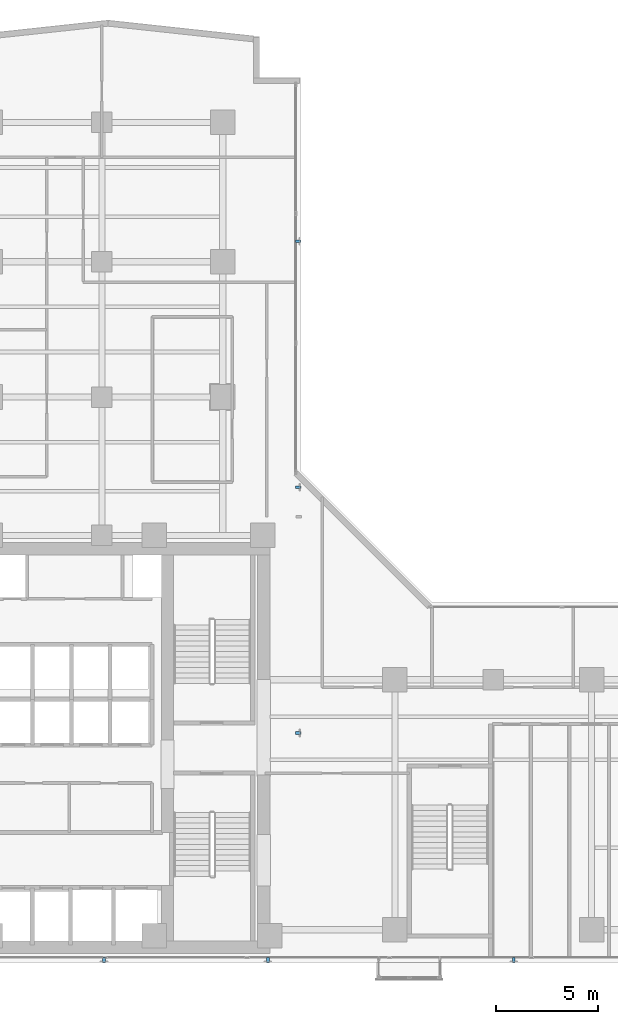
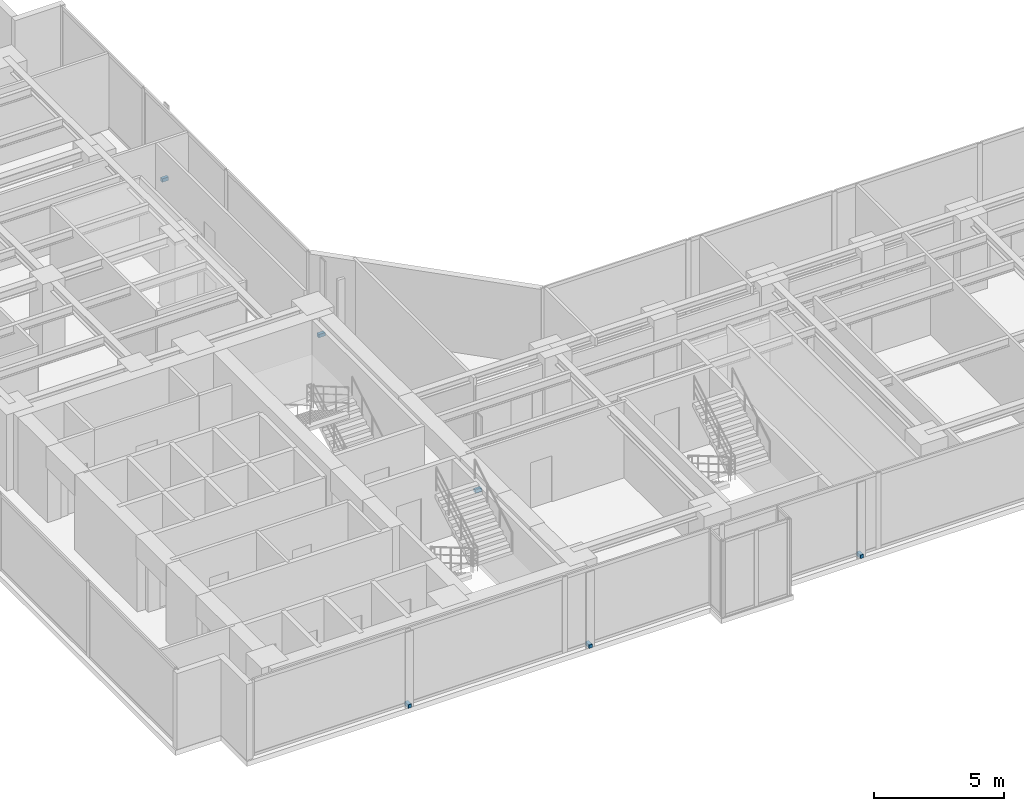
# One storey, part 22 of 24: 6 discrete accessories.
"""IFC4 building model written with IfcOpenShell, lengths in metres."""

from ifc_helpers import new_model, si_unit, direction, frame, origin, origin_with_axes, origin_2d, place, context, subcontext, project, spatial, rectangle, extrude, source, transform, mapped, material, type_object, element, save


model = new_model("IFC4")

# Units and contexts
model_context = context("Model", 3, precision=1e-05, world=origin(), true_north=direction((0.0, 1.0)))
body_context = subcontext(model_context, "Body", "Model", "MODEL_VIEW")
ifc_project = project(units=[si_unit("LENGTHUNIT", "METRE"), si_unit("AREAUNIT", "SQUARE_METRE"), si_unit("VOLUMEUNIT", "CUBIC_METRE"), si_unit("PLANEANGLEUNIT", "RADIAN"), si_unit("MASSUNIT", "GRAM", prefix="KILO")], contexts=[model_context])

# Site, building, storey
site_placement = place(None, origin())
site = spatial("IfcSite", under=ifc_project, at=site_placement, CompositionType="ELEMENT")
building_placement = place(site_placement, origin())
building = spatial("IfcBuilding", under=site, at=building_placement, Name="Kolvaren Waterfront Exchange", CompositionType="ELEMENT")
storey_placement = place(building_placement, frame((0.0, 0.0, 184.199951171875)))
storey = spatial("IfcBuildingStorey", under=building, at=storey_placement, Name="L47", CompositionType="ELEMENT", Elevation=184.199951171875)

# Discrete accessories
ifc_material = material(Name="Stainless steel 316", Category="steel")
discrete_accessory_type = type_object("IfcDiscreteAccessoryType", Name="ARC-BRK-FIN", PredefinedType="BRACKET", material=ifc_material)
shared_shape = source(origin_with_axes(), body_context, "Body", "SweptSolid", [
    extrude(rectangle(XDim=0.280029296875, YDim=0.139892578125, at=origin_2d()), origin(), (0.0, 0.0, 1.0), 0.159912109375),
])
for number, where, z_axis, x_axis, name in (
    (1, (13.0, 3.719970703125, 0.0), (0.0, 0.0, 1.0), (0.0, -1.0, 0.0), "L47 bronze fin anchor bracket FIN-L47-S1"),
    (2, (21.0, 3.719970703125, 0.0), (0.0, 0.0, 1.0), (0.0, -1.0, 0.0), "L47 bronze fin anchor bracket FIN-L47-S2"),
    (3, (33.0, 3.719970703125, 0.0), (0.0, 0.0, 1.0), (0.0, -1.0, 0.0), "L47 bronze fin anchor bracket FIN-L47-S3"),
    (4, (22.47998046875, 14.800048828125, 0.0), (0.0, 0.0, 1.0), (1.0, 0.0, 0.0), "L47 bronze fin anchor bracket FIN-L47-E1"),
    (5, (22.47998046875, 26.800048828125, 0.0), (0.0, 0.0, 1.0), (1.0, 0.0, 0.0), "L47 bronze fin anchor bracket FIN-L47-E2"),
    (6, (22.47998046875, 38.800048828125, 0.0), (0.0, 0.0, 1.0), (1.0, 0.0, 0.0), "L47 bronze fin anchor bracket FIN-L47-E3"),
):
    element("IfcDiscreteAccessory", number, at=place(storey_placement, frame(where, z_axis=z_axis, x_axis=x_axis)), inside=storey, type_object=discrete_accessory_type, Name=name, PredefinedType="BRACKET", context=body_context, shape_type="MappedRepresentation", body=[
        mapped(shared_shape, transform((0.0, 0.0, 0.0), x_axis=(1.0, 0.0, 0.0), y_axis=(0.0, 1.0, 0.0), z_axis=(0.0, 0.0, 1.0), scale=1.0)),
    ])

save(model, "model.ifc")
